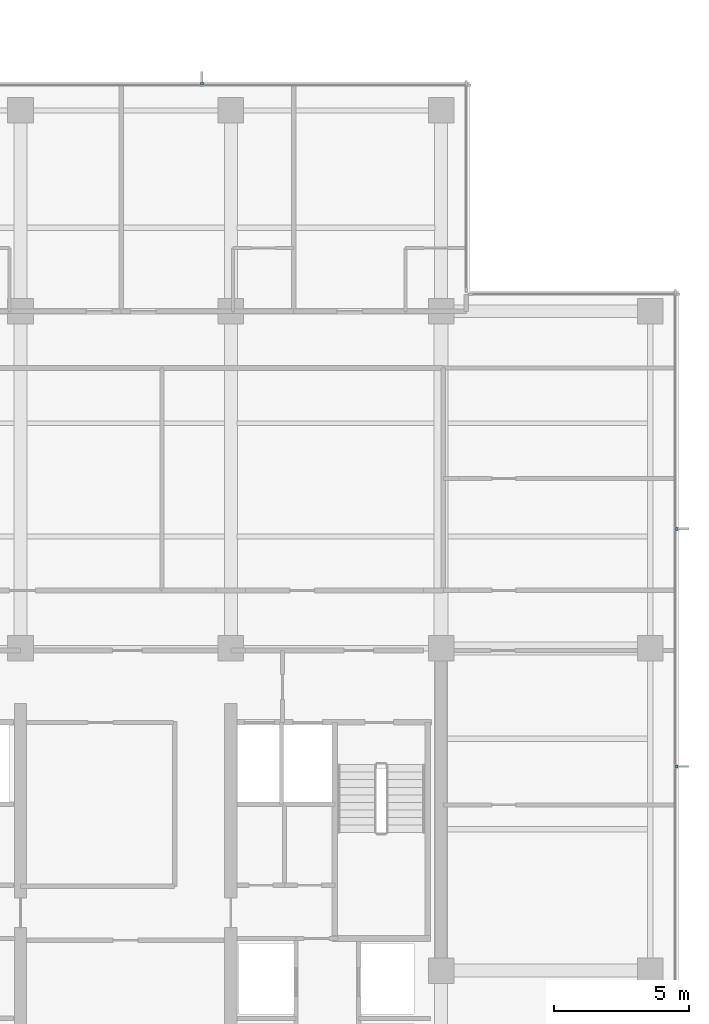
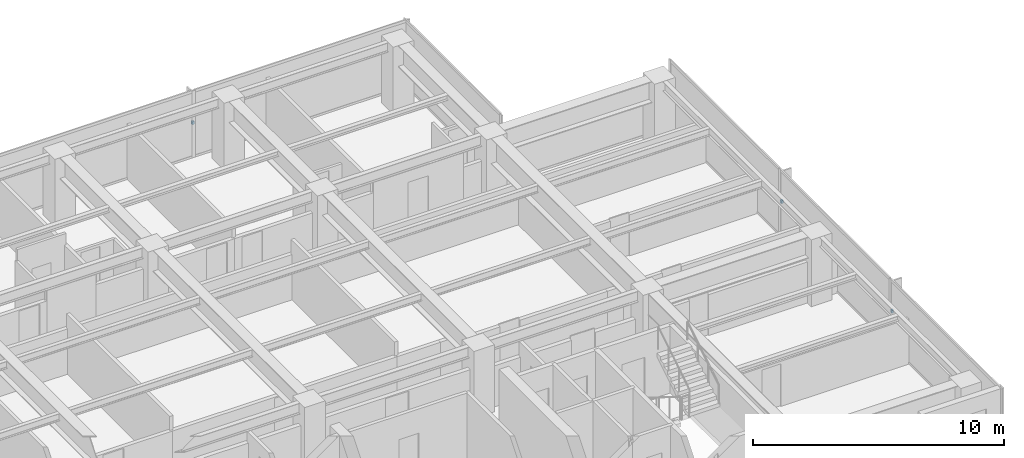
# One storey, part 12 of 14: 3 discrete accessories.
"""IFC4 building model written with IfcOpenShell, lengths in metres."""

from ifc_helpers import new_model, si_unit, direction, frame, origin, place, context, subcontext, project, spatial, polyline, outline, extrude, material, type_object, element, save


model = new_model("IFC4")

# Units and contexts
model_context = context("Model", 3, precision=1e-05, world=origin(), true_north=direction((0.0, 1.0)))
body_context = subcontext(model_context, "Body", "Model", "MODEL_VIEW")
ifc_project = project(units=[si_unit("LENGTHUNIT", "METRE"), si_unit("AREAUNIT", "SQUARE_METRE"), si_unit("VOLUMEUNIT", "CUBIC_METRE"), si_unit("PLANEANGLEUNIT", "RADIAN"), si_unit("MASSUNIT", "GRAM", prefix="KILO")], contexts=[model_context])

# Site, building, storey
site_placement = place(None, origin())
site = spatial("IfcSite", under=ifc_project, at=site_placement, CompositionType="ELEMENT")
building_placement = place(site_placement, origin())
building = spatial("IfcBuilding", under=site, at=building_placement, Name="Qalmaran Belvedere Hotel", CompositionType="ELEMENT")
storey_placement = place(building_placement, frame((0.0, 0.0, 235.39990234375)))
storey = spatial("IfcBuildingStorey", under=building, at=storey_placement, Name="L60", CompositionType="ELEMENT", Elevation=235.39990234375)

# Discrete accessories
ifc_material = material(Name="Stainless Steel 1.4401", Category="steel")
discrete_accessory_type = type_object("IfcDiscreteAccessoryType", Name="BRK-FIN-SS316", PredefinedType="BRACKET", material=ifc_material)
discrete_accessory_1_placement = place(storey_placement, frame((0.0, 0.0, 1.580078125)))
element("IfcDiscreteAccessory", 1, at=discrete_accessory_1_placement, inside=storey, type_object=discrete_accessory_type, Name="L60 Fin Bracket 1", PredefinedType="BRACKET", context=body_context, shape_type="SweptSolid", body=[
    extrude(outline(polyline([(53.4951171875, 16.061767578125), (53.58740234375, 16.061767578125), (53.58740234375, 16.171630859375), (53.4951171875, 16.171630859375), (53.4951171875, 16.061767578125)])), origin(), (0.0, 0.0, 1.0), 0.14013671875),
])
discrete_accessory_2_placement = place(storey_placement, frame((0.0, 0.0, 1.580078125)))
element("IfcDiscreteAccessory", 2, at=discrete_accessory_2_placement, inside=storey, type_object=discrete_accessory_type, Name="L60 Fin Bracket 2", PredefinedType="BRACKET", context=body_context, shape_type="SweptSolid", body=[
    extrude(outline(polyline([(53.4951171875, 24.87841796875), (53.58740234375, 24.87841796875), (53.58740234375, 24.98828125), (53.4951171875, 24.98828125), (53.4951171875, 24.87841796875)])), origin(), (0.0, 0.0, 1.0), 0.14013671875),
])
discrete_accessory_3_placement = place(storey_placement, frame((0.0, 0.0, 1.580078125)))
element("IfcDiscreteAccessory", 3, at=discrete_accessory_3_placement, inside=storey, type_object=discrete_accessory_type, Name="L60 Fin Bracket 1", PredefinedType="BRACKET", context=body_context, shape_type="SweptSolid", body=[
    extrude(outline(polyline([(35.97998046875, 41.39501953125), (35.97998046875, 41.487548828125), (35.8701171875, 41.487548828125), (35.8701171875, 41.39501953125), (35.97998046875, 41.39501953125)])), origin(), (0.0, 0.0, 1.0), 0.14013671875),
])

save(model, "model.ifc")
